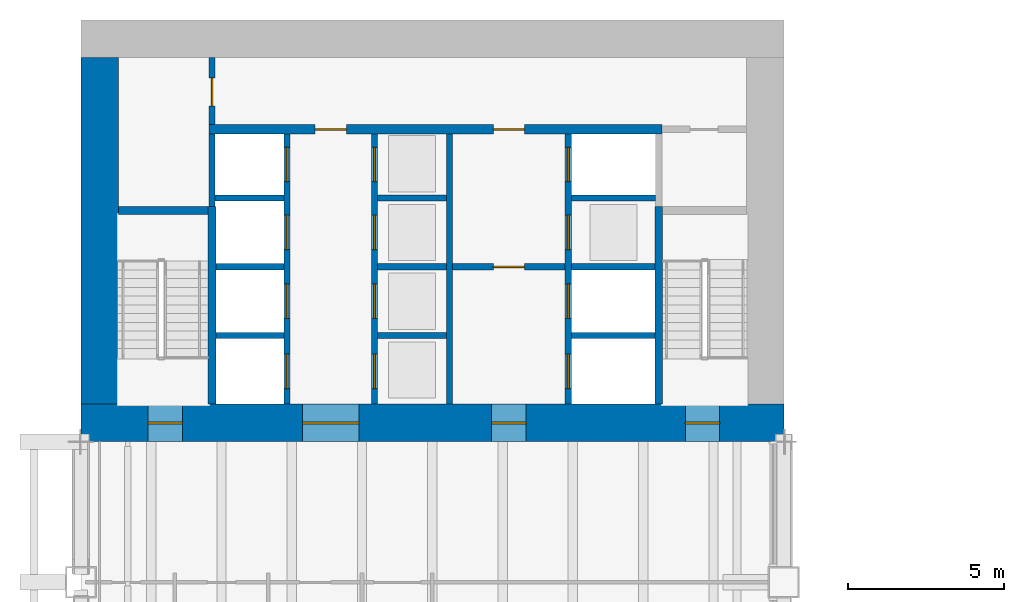
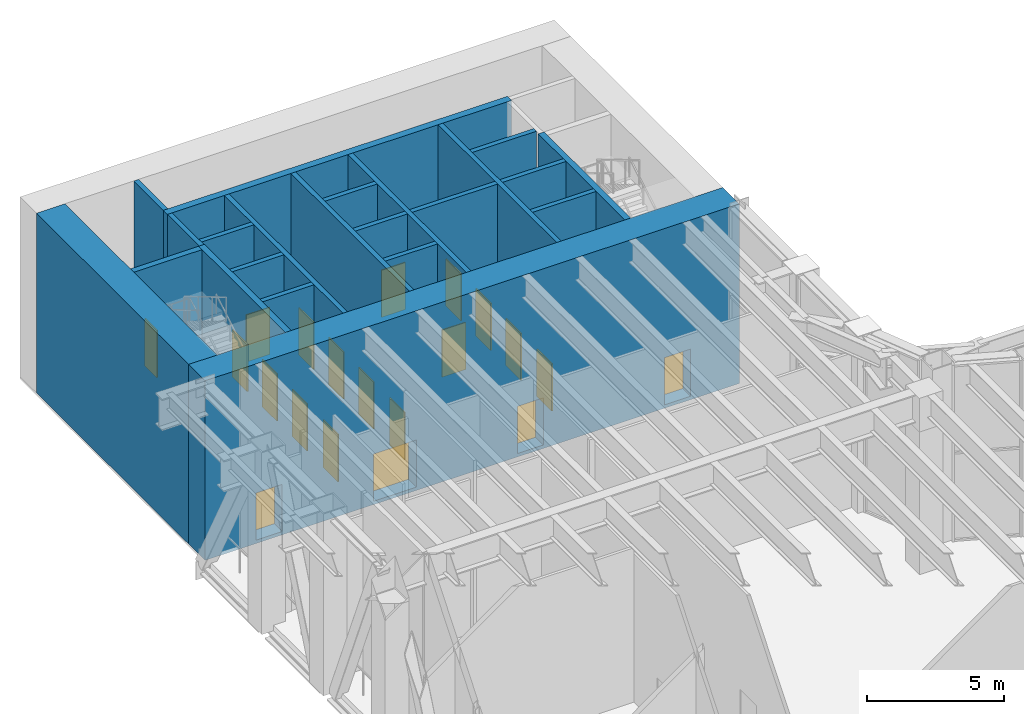
# One storey, part 12 of 21: 22 walls, 20 doors, 20 openings.
"""IFC4 building model written with IfcOpenShell, lengths in metres."""

from ifc_helpers import new_model, si_unit, direction, frame, frame_2d, origin, place, context, subcontext, project, spatial, rectangle, extrude, material, layer, layer_set, type_object, element, fill, save


model = new_model("IFC4")

# Units and contexts
model_context = context("Model", 3, precision=1e-05, world=origin(), true_north=direction((0.0, 1.0)))
body_context = subcontext(model_context, "Body", "Model", "MODEL_VIEW")
ifc_project = project(units=[si_unit("LENGTHUNIT", "METRE"), si_unit("AREAUNIT", "SQUARE_METRE"), si_unit("VOLUMEUNIT", "CUBIC_METRE"), si_unit("PLANEANGLEUNIT", "RADIAN"), si_unit("MASSUNIT", "GRAM", prefix="KILO")], contexts=[model_context])

# Site, building, storey
site_placement = place(None, origin())
site = spatial("IfcSite", under=ifc_project, at=site_placement, CompositionType="ELEMENT")
building_placement = place(site_placement, origin())
building = spatial("IfcBuilding", under=site, at=building_placement, Name="Sennacour Bend Tower", CompositionType="ELEMENT")
storey_placement = place(building_placement, frame((0.0, 0.0, 131.0)))
storey = spatial("IfcBuildingStorey", under=building, at=storey_placement, Name="L30", CompositionType="ELEMENT", Elevation=131.0)

# Wall, openings, doors
ifc_material_1 = material(Name="Concrete C80/95", Category="concrete")
ifc_layer_1 = layer(ifc_material_1, 1.199951171875, Name="Concrete C80/95", Category="concrete")
ifc_layer_set_1 = layer_set([ifc_layer_1], Name="Concrete C80/95")
wall_type_1 = type_object("IfcWallType", Name="Core wall 1200 C80/95", PredefinedType="SHEAR", material=ifc_layer_set_1)
wall_1_placement = place(storey_placement, frame((0.0, 36.60009765625, -0.14990234375), z_axis=(0.0, 0.0, 1.0), x_axis=(1.0, 0.0, 0.0)))
wall_1 = element("IfcWall", 1, at=wall_1_placement, inside=storey, type_object=wall_type_1, Name="Core B wall L30 S", PredefinedType="SHEAR", context=body_context, shape_type="SweptSolid", body=[
    extrude(rectangle(XDim=22.5, YDim=1.199951171875, at=frame_2d((11.25, 0.0))), origin(), (0.0, 0.0, 1.0), 8.0),
])
opening_1_placement = place(wall_1_placement, frame((7.10009765625, 0.0, 0.14990234375)))
opening_1 = element("IfcOpeningElement", 2, at=opening_1_placement, cuts=wall_1, Name="Opening CD", PredefinedType="OPENING", context=body_context, shape_type="SweptSolid", body=[
    extrude(rectangle(XDim=1.800048828125, YDim=2.10009765625, at=frame_2d((0.89990234375, 1.050048828125))), frame((0.0, 0.60986328125, 0.0), z_axis=(0.0, -1.0, 0.0), x_axis=(1.0, 0.0, 0.0)), (0.0, 0.0, 1.0), 1.219970703125),
])
opening_2_placement = place(wall_1_placement, frame((13.14990234375, 0.0, 0.14990234375)))
opening_2 = element("IfcOpeningElement", 3, at=opening_2_placement, cuts=wall_1, Name="Opening FD", PredefinedType="OPENING", context=body_context, shape_type="SweptSolid", body=[
    extrude(rectangle(XDim=1.10009765625, YDim=2.10009765625, at=frame_2d((0.550048828125, 1.050048828125))), frame((0.0, 0.60986328125, 0.0), z_axis=(0.0, -1.0, 0.0), x_axis=(1.0, 0.0, 0.0)), (0.0, 0.0, 1.0), 1.219970703125),
])
opening_3_placement = place(wall_1_placement, frame((2.14990234375, 0.0, 0.14990234375)))
opening_3 = element("IfcOpeningElement", 4, at=opening_3_placement, cuts=wall_1, Name="Opening SD", PredefinedType="OPENING", context=body_context, shape_type="SweptSolid", body=[
    extrude(rectangle(XDim=1.10009765625, YDim=2.10009765625, at=frame_2d((0.550048828125, 1.050048828125))), frame((0.0, 0.60986328125, 0.0), z_axis=(0.0, -1.0, 0.0), x_axis=(1.0, 0.0, 0.0)), (0.0, 0.0, 1.0), 1.219970703125),
])
opening_4_placement = place(wall_1_placement, frame((19.35009765625, 0.0, 0.14990234375)))
opening_4 = element("IfcOpeningElement", 5, at=opening_4_placement, cuts=wall_1, Name="Opening SD", PredefinedType="OPENING", context=body_context, shape_type="SweptSolid", body=[
    extrude(rectangle(XDim=1.10009765625, YDim=2.10009765625, at=frame_2d((0.550048828125, 1.050048828125))), frame((0.0, 0.60986328125, 0.0), z_axis=(0.0, -1.0, 0.0), x_axis=(1.0, 0.0, 0.0)), (0.0, 0.0, 1.0), 1.219970703125),
])
ifc_material_2 = material(Name="Painted steel", Category="steel")
door_type_1 = type_object("IfcDoorType", Name="DR-FFL-1100", OperationType="NOTDEFINED", PredefinedType="DOOR", material=ifc_material_2)
door_1_placement = place(opening_2_placement, origin())
door_1 = element("IfcDoor", 6, at=door_1_placement, inside=storey, type_object=door_type_1, Name="Door", OperationType="SINGLE_SWING_RIGHT", OverallHeight=2.10009765625, OverallWidth=1.10009765625, PredefinedType="DOOR", context=body_context, shape_type="SweptSolid", body=[
    extrude(rectangle(XDim=1.10009765625, YDim=2.10009765625, at=frame_2d((0.550048828125, 1.050048828125))), frame((0.0, 0.02490234375, 0.0), z_axis=(0.0, -1.0, 0.0), x_axis=(1.0, 0.0, 0.0)), (0.0, 0.0, 1.0), 0.050048828125),
])
fill(opening_2, door_1)
door_type_2 = type_object("IfcDoorType", Name="DR-LOBBY-1800", OperationType="NOTDEFINED", PredefinedType="DOOR", material=ifc_material_2)
door_2_placement = place(opening_1_placement, origin())
door_2 = element("IfcDoor", 7, at=door_2_placement, inside=storey, type_object=door_type_2, Name="Door", OperationType="DOUBLE_DOOR_SINGLE_SWING", OverallHeight=2.10009765625, OverallWidth=1.800048828125, PredefinedType="DOOR", context=body_context, shape_type="SweptSolid", body=[
    extrude(rectangle(XDim=1.800048828125, YDim=2.10009765625, at=frame_2d((0.89990234375, 1.050048828125))), frame((0.0, 0.02490234375, 0.0), z_axis=(0.0, -1.0, 0.0), x_axis=(1.0, 0.0, 0.0)), (0.0, 0.0, 1.0), 0.050048828125),
])
fill(opening_1, door_2)
door_type_3 = type_object("IfcDoorType", Name="DR-STAIR-1100", OperationType="NOTDEFINED", PredefinedType="DOOR", material=ifc_material_2)
door_3_placement = place(opening_3_placement, origin())
door_3 = element("IfcDoor", 8, at=door_3_placement, inside=storey, type_object=door_type_3, Name="Door", OperationType="SINGLE_SWING_LEFT", OverallHeight=2.10009765625, OverallWidth=1.10009765625, PredefinedType="DOOR", context=body_context, shape_type="SweptSolid", body=[
    extrude(rectangle(XDim=1.10009765625, YDim=2.10009765625, at=frame_2d((0.550048828125, 1.050048828125))), frame((0.0, 0.02490234375, 0.0), z_axis=(0.0, -1.0, 0.0), x_axis=(1.0, 0.0, 0.0)), (0.0, 0.0, 1.0), 0.050048828125),
])
fill(opening_3, door_3)
door_4_placement = place(opening_4_placement, origin())
door_4 = element("IfcDoor", 9, at=door_4_placement, inside=storey, type_object=door_type_3, Name="Door", OperationType="SINGLE_SWING_RIGHT", OverallHeight=2.10009765625, OverallWidth=1.10009765625, PredefinedType="DOOR", context=body_context, shape_type="SweptSolid", body=[
    extrude(rectangle(XDim=1.10009765625, YDim=2.10009765625, at=frame_2d((0.550048828125, 1.050048828125))), frame((0.0, 0.02490234375, 0.0), z_axis=(0.0, -1.0, 0.0), x_axis=(1.0, 0.0, 0.0)), (0.0, 0.0, 1.0), 0.050048828125),
])
fill(opening_4, door_4)

# Wall
wall_2_placement = place(storey_placement, frame((0.60009765625, 37.199951171875, -0.14990234375), z_axis=(0.0, 0.0, 1.0), x_axis=(0.0, 1.0, 0.0)))
element("IfcWall", 10, at=wall_2_placement, inside=storey, type_object=wall_type_1, Name="Core B wall L30 W", PredefinedType="SHEAR", context=body_context, shape_type="SweptSolid", body=[
    extrude(rectangle(XDim=11.10009765625, YDim=1.199951171875, at=frame_2d((5.550048828125, 0.0))), origin(), (0.0, 0.0, 1.0), 8.0),
])

# Wall, opening, door
ifc_material_3 = material(Name="Fire-rated plasterboard partition on steel studs", Category="steel")
ifc_layer_2 = layer(ifc_material_3, 0.199951171875, Name="Fire-rated plasterboard partition on steel studs", Category="steel")
ifc_layer_set_2 = layer_set([ifc_layer_2], Name="Fire-rated plasterboard partition on steel studs")
wall_type_2 = type_object("IfcWallType", Name="Rated partition 200", PredefinedType="PARTITIONING", material=ifc_layer_set_2)
wall_3_placement = place(storey_placement, frame((4.199951171875, 46.14990234375, 0.0), z_axis=(0.0, 0.0, 1.0), x_axis=(0.0, 1.0, 0.0)))
wall_3 = element("IfcWall", 11, at=wall_3_placement, inside=storey, type_object=wall_type_2, Name="P-L30-W006", PredefinedType="PARTITIONING", context=body_context, shape_type="SweptSolid", body=[
    extrude(rectangle(XDim=2.150146484375, YDim=0.199951171875, at=frame_2d((1.0751953125, 0.0))), origin(), (0.0, 0.0, 1.0), 7.85009765625),
])
opening_5_placement = place(wall_3_placement, frame((0.60009765625, 0.0, 0.0)))
opening_5 = element("IfcOpeningElement", 12, at=opening_5_placement, cuts=wall_3, Name="Opening SV", PredefinedType="OPENING", context=body_context, shape_type="SweptSolid", body=[
    extrude(rectangle(XDim=0.89990234375, YDim=2.10009765625, at=frame_2d((0.449951171875, 1.050048828125))), frame((0.0, 0.10986328125, 0.0), z_axis=(0.0, -1.0, 0.0), x_axis=(1.0, 0.0, 0.0)), (0.0, 0.0, 1.0), 0.219970703125),
])
door_type_4 = type_object("IfcDoorType", Name="DR-SERVICE-900", OperationType="NOTDEFINED", PredefinedType="DOOR", material=ifc_material_2)
door_5_placement = place(opening_5_placement, origin())
door_5 = element("IfcDoor", 13, at=door_5_placement, inside=storey, type_object=door_type_4, Name="Door", OperationType="SINGLE_SWING_LEFT", OverallHeight=2.10009765625, OverallWidth=0.89990234375, PredefinedType="DOOR", context=body_context, shape_type="SweptSolid", body=[
    extrude(rectangle(XDim=0.89990234375, YDim=2.10009765625, at=frame_2d((0.449951171875, 1.050048828125))), frame((0.0, 0.02490234375, 0.0), z_axis=(0.0, -1.0, 0.0), x_axis=(1.0, 0.0, 0.0)), (0.0, 0.0, 1.0), 0.050048828125),
])
fill(opening_5, door_5)

ifc_layer_3 = layer(ifc_material_3, 0.199951171875, Name="Fire-rated plasterboard partition on steel studs", Category="steel")
ifc_layer_set_3 = layer_set([ifc_layer_3], Name="Fire-rated plasterboard partition on steel studs")
wall_type_3 = type_object("IfcWallType", Name="Rated partition 200 EI 90", PredefinedType="PARTITIONING", material=ifc_layer_set_3)
wall_4_placement = place(storey_placement, frame((11.89990234375, 41.60009765625, 0.0), z_axis=(0.0, 0.0, 1.0), x_axis=(1.0, 0.0, 0.0)))
wall_4 = element("IfcWall", 14, at=wall_4_placement, inside=storey, type_object=wall_type_3, Name="P-L30-W070", PredefinedType="PARTITIONING", context=body_context, shape_type="SweptSolid", body=[
    extrude(rectangle(XDim=3.60009765625, YDim=0.199951171875, at=frame_2d((1.800048828125, 0.0))), origin(), (0.0, 0.0, 1.0), 7.85009765625),
])
opening_6_placement = place(wall_4_placement, frame((1.300048828125, 0.0, 0.0)))
opening_6 = element("IfcOpeningElement", 15, at=opening_6_placement, cuts=wall_4, Name="Opening FD2", PredefinedType="OPENING", context=body_context, shape_type="SweptSolid", body=[
    extrude(rectangle(XDim=1.0, YDim=2.10009765625, at=frame_2d((0.5, 1.050048828125))), frame((0.0, 0.10986328125, 0.0), z_axis=(0.0, -1.0, 0.0), x_axis=(1.0, 0.0, 0.0)), (0.0, 0.0, 1.0), 0.219970703125),
])
door_type_5 = type_object("IfcDoorType", Name="DR-FFL-1000", OperationType="NOTDEFINED", PredefinedType="DOOR", material=ifc_material_2)
door_6_placement = place(opening_6_placement, origin())
door_6 = element("IfcDoor", 16, at=door_6_placement, inside=storey, type_object=door_type_5, Name="Door", OperationType="SINGLE_SWING_LEFT", OverallHeight=2.10009765625, OverallWidth=1.0, PredefinedType="DOOR", context=body_context, shape_type="SweptSolid", body=[
    extrude(rectangle(XDim=1.0, YDim=2.10009765625, at=frame_2d((0.5, 1.050048828125))), frame((0.0, 0.02490234375, 0.0), z_axis=(0.0, -1.0, 0.0), x_axis=(1.0, 0.0, 0.0)), (0.0, 0.0, 1.0), 0.050048828125),
])
fill(opening_6, door_6)

# Wall
ifc_material_4 = material(Name="Concrete C50/60", Category="concrete")
ifc_layer_4 = layer(ifc_material_4, 0.199951171875, Name="Concrete C50/60", Category="concrete")
ifc_layer_set_4 = layer_set([ifc_layer_4], Name="Concrete C50/60")
wall_type_4 = type_object("IfcWallType", Name="Shaft wall 200", PredefinedType="SOLIDWALL", material=ifc_layer_set_4)
wall_5_placement = place(storey_placement, frame((4.199951171875, 43.52490234375, 0.0), z_axis=(0.0, 0.0, 1.0), x_axis=(0.0, 1.0, 0.0)))
element("IfcWall", 17, at=wall_5_placement, inside=storey, type_object=wall_type_4, Name="P-L30-W005", PredefinedType="SOLIDWALL", context=body_context, shape_type="SweptSolid", body=[
    extrude(rectangle(XDim=2.3251953125, YDim=0.199951171875, at=frame_2d((1.16259765625, 0.0))), origin(), (0.0, 0.0, 1.0), 7.85009765625),
])

# Wall, openings, doors
wall_6_placement = place(storey_placement, frame((6.60009765625, 37.199951171875, 0.0), z_axis=(0.0, 0.0, 1.0), x_axis=(0.0, 1.0, 0.0)))
wall_6 = element("IfcWall", 18, at=wall_6_placement, inside=storey, type_object=wall_type_4, Name="P-L30-W008", PredefinedType="SOLIDWALL", context=body_context, shape_type="SweptSolid", body=[
    extrude(rectangle(XDim=8.650146484375, YDim=0.199951171875, at=frame_2d((4.3251953125, 0.0))), origin(), (0.0, 0.0, 1.0), 7.85009765625),
])
opening_7_placement = place(wall_6_placement, frame((0.5, 0.0, 0.011962890625)))
opening_7 = element("IfcOpeningElement", 19, at=opening_7_placement, cuts=wall_6, Name="Opening LD", PredefinedType="OPENING", context=body_context, shape_type="SweptSolid", body=[
    extrude(rectangle(XDim=1.10009765625, YDim=2.10009765625, at=frame_2d((0.550048828125, 1.050048828125))), frame((0.0, 0.10986328125, 0.0), z_axis=(0.0, -1.0, 0.0), x_axis=(1.0, 0.0, 0.0)), (0.0, 0.0, 1.0), 0.219970703125),
])
opening_8_placement = place(wall_6_placement, frame((2.75, 0.0, 0.011962890625)))
opening_8 = element("IfcOpeningElement", 20, at=opening_8_placement, cuts=wall_6, Name="Opening LD", PredefinedType="OPENING", context=body_context, shape_type="SweptSolid", body=[
    extrude(rectangle(XDim=1.10009765625, YDim=2.10009765625, at=frame_2d((0.550048828125, 1.050048828125))), frame((0.0, 0.10986328125, 0.0), z_axis=(0.0, -1.0, 0.0), x_axis=(1.0, 0.0, 0.0)), (0.0, 0.0, 1.0), 0.219970703125),
])
opening_9_placement = place(wall_6_placement, frame((4.949951171875, 0.0, 0.011962890625)))
opening_9 = element("IfcOpeningElement", 21, at=opening_9_placement, cuts=wall_6, Name="Opening LD", PredefinedType="OPENING", context=body_context, shape_type="SweptSolid", body=[
    extrude(rectangle(XDim=1.10009765625, YDim=2.10009765625, at=frame_2d((0.550048828125, 1.050048828125))), frame((0.0, 0.10986328125, 0.0), z_axis=(0.0, -1.0, 0.0), x_axis=(1.0, 0.0, 0.0)), (0.0, 0.0, 1.0), 0.219970703125),
])
opening_10_placement = place(wall_6_placement, frame((7.125, 0.0, 0.011962890625)))
opening_10 = element("IfcOpeningElement", 22, at=opening_10_placement, cuts=wall_6, Name="Opening LD", PredefinedType="OPENING", context=body_context, shape_type="SweptSolid", body=[
    extrude(rectangle(XDim=1.10009765625, YDim=2.10009765625, at=frame_2d((0.550048828125, 1.050048828125))), frame((0.0, 0.10986328125, 0.0), z_axis=(0.0, -1.0, 0.0), x_axis=(1.0, 0.0, 0.0)), (0.0, 0.0, 1.0), 0.219970703125),
])
ifc_material_5 = material(Name="Stainless steel", Category="steel")
door_type_6 = type_object("IfcDoorType", Name="DR-LANDING-1100", OperationType="NOTDEFINED", PredefinedType="DOOR", material=ifc_material_5)
door_7_placement = place(opening_7_placement, origin())
door_7 = element("IfcDoor", 23, at=door_7_placement, inside=storey, type_object=door_type_6, Name="Lift landing door LB1", OperationType="SLIDING_TO_RIGHT", OverallHeight=2.10009765625, OverallWidth=1.10009765625, PredefinedType="DOOR", context=body_context, shape_type="SweptSolid", body=[
    extrude(rectangle(XDim=1.10009765625, YDim=2.10009765625, at=frame_2d((0.550048828125, 1.050048828125))), frame((0.0, 0.02490234375, 0.0), z_axis=(0.0, -1.0, 0.0), x_axis=(1.0, 0.0, 0.0)), (0.0, 0.0, 1.0), 0.050048828125),
])
fill(opening_7, door_7)
door_8_placement = place(opening_8_placement, origin())
door_8 = element("IfcDoor", 24, at=door_8_placement, inside=storey, type_object=door_type_6, Name="Lift landing door LB2", OperationType="SLIDING_TO_LEFT", OverallHeight=2.10009765625, OverallWidth=1.10009765625, PredefinedType="DOOR", context=body_context, shape_type="SweptSolid", body=[
    extrude(rectangle(XDim=1.10009765625, YDim=2.10009765625, at=frame_2d((0.550048828125, 1.050048828125))), frame((0.0, 0.02490234375, 0.0), z_axis=(0.0, -1.0, 0.0), x_axis=(1.0, 0.0, 0.0)), (0.0, 0.0, 1.0), 0.050048828125),
])
fill(opening_8, door_8)
door_9_placement = place(opening_9_placement, origin())
door_9 = element("IfcDoor", 25, at=door_9_placement, inside=storey, type_object=door_type_6, Name="Lift landing door LB3", OperationType="SLIDING_TO_RIGHT", OverallHeight=2.10009765625, OverallWidth=1.10009765625, PredefinedType="DOOR", context=body_context, shape_type="SweptSolid", body=[
    extrude(rectangle(XDim=1.10009765625, YDim=2.10009765625, at=frame_2d((0.550048828125, 1.050048828125))), frame((0.0, 0.02490234375, 0.0), z_axis=(0.0, -1.0, 0.0), x_axis=(1.0, 0.0, 0.0)), (0.0, 0.0, 1.0), 0.050048828125),
])
fill(opening_9, door_9)
door_10_placement = place(opening_10_placement, origin())
door_10 = element("IfcDoor", 26, at=door_10_placement, inside=storey, type_object=door_type_6, Name="Lift landing door LB4", OperationType="SLIDING_TO_LEFT", OverallHeight=2.10009765625, OverallWidth=1.10009765625, PredefinedType="DOOR", context=body_context, shape_type="SweptSolid", body=[
    extrude(rectangle(XDim=1.10009765625, YDim=2.10009765625, at=frame_2d((0.550048828125, 1.050048828125))), frame((0.0, 0.02490234375, 0.0), z_axis=(0.0, -1.0, 0.0), x_axis=(1.0, 0.0, 0.0)), (0.0, 0.0, 1.0), 0.050048828125),
])
fill(opening_10, door_10)

wall_7_placement = place(storey_placement, frame((9.39990234375, 37.199951171875, 0.0), z_axis=(0.0, 0.0, 1.0), x_axis=(0.0, 1.0, 0.0)))
wall_7 = element("IfcWall", 27, at=wall_7_placement, inside=storey, type_object=wall_type_4, Name="P-L30-W013", PredefinedType="SOLIDWALL", context=body_context, shape_type="SweptSolid", body=[
    extrude(rectangle(XDim=8.650146484375, YDim=0.199951171875, at=frame_2d((4.3251953125, 0.0))), origin(), (0.0, 0.0, 1.0), 7.85009765625),
])
opening_11_placement = place(wall_7_placement, frame((0.5, 0.0, 0.011962890625)))
opening_11 = element("IfcOpeningElement", 28, at=opening_11_placement, cuts=wall_7, Name="Opening LD", PredefinedType="OPENING", context=body_context, shape_type="SweptSolid", body=[
    extrude(rectangle(XDim=1.10009765625, YDim=2.10009765625, at=frame_2d((0.550048828125, 1.050048828125))), frame((0.0, 0.10986328125, 0.0), z_axis=(0.0, -1.0, 0.0), x_axis=(1.0, 0.0, 0.0)), (0.0, 0.0, 1.0), 0.219970703125),
])
opening_12_placement = place(wall_7_placement, frame((2.75, 0.0, 0.011962890625)))
opening_12 = element("IfcOpeningElement", 29, at=opening_12_placement, cuts=wall_7, Name="Opening LD", PredefinedType="OPENING", context=body_context, shape_type="SweptSolid", body=[
    extrude(rectangle(XDim=1.10009765625, YDim=2.10009765625, at=frame_2d((0.550048828125, 1.050048828125))), frame((0.0, 0.10986328125, 0.0), z_axis=(0.0, -1.0, 0.0), x_axis=(1.0, 0.0, 0.0)), (0.0, 0.0, 1.0), 0.219970703125),
])
opening_13_placement = place(wall_7_placement, frame((4.949951171875, 0.0, 0.011962890625)))
opening_13 = element("IfcOpeningElement", 30, at=opening_13_placement, cuts=wall_7, Name="Opening LD", PredefinedType="OPENING", context=body_context, shape_type="SweptSolid", body=[
    extrude(rectangle(XDim=1.10009765625, YDim=2.10009765625, at=frame_2d((0.550048828125, 1.050048828125))), frame((0.0, 0.10986328125, 0.0), z_axis=(0.0, -1.0, 0.0), x_axis=(1.0, 0.0, 0.0)), (0.0, 0.0, 1.0), 0.219970703125),
])
opening_14_placement = place(wall_7_placement, frame((7.125, 0.0, 0.011962890625)))
opening_14 = element("IfcOpeningElement", 31, at=opening_14_placement, cuts=wall_7, Name="Opening LD", PredefinedType="OPENING", context=body_context, shape_type="SweptSolid", body=[
    extrude(rectangle(XDim=1.10009765625, YDim=2.10009765625, at=frame_2d((0.550048828125, 1.050048828125))), frame((0.0, 0.10986328125, 0.0), z_axis=(0.0, -1.0, 0.0), x_axis=(1.0, 0.0, 0.0)), (0.0, 0.0, 1.0), 0.219970703125),
])
door_11_placement = place(opening_11_placement, origin())
door_11 = element("IfcDoor", 32, at=door_11_placement, inside=storey, type_object=door_type_6, Name="Lift landing door MB1", OperationType="SLIDING_TO_RIGHT", OverallHeight=2.10009765625, OverallWidth=1.10009765625, PredefinedType="DOOR", context=body_context, shape_type="SweptSolid", body=[
    extrude(rectangle(XDim=1.10009765625, YDim=2.10009765625, at=frame_2d((0.550048828125, 1.050048828125))), frame((0.0, 0.02490234375, 0.0), z_axis=(0.0, -1.0, 0.0), x_axis=(1.0, 0.0, 0.0)), (0.0, 0.0, 1.0), 0.050048828125),
])
fill(opening_11, door_11)
door_12_placement = place(opening_12_placement, origin())
door_12 = element("IfcDoor", 33, at=door_12_placement, inside=storey, type_object=door_type_6, Name="Lift landing door MB2", OperationType="SLIDING_TO_LEFT", OverallHeight=2.10009765625, OverallWidth=1.10009765625, PredefinedType="DOOR", context=body_context, shape_type="SweptSolid", body=[
    extrude(rectangle(XDim=1.10009765625, YDim=2.10009765625, at=frame_2d((0.550048828125, 1.050048828125))), frame((0.0, 0.02490234375, 0.0), z_axis=(0.0, -1.0, 0.0), x_axis=(1.0, 0.0, 0.0)), (0.0, 0.0, 1.0), 0.050048828125),
])
fill(opening_12, door_12)
door_13_placement = place(opening_13_placement, origin())
door_13 = element("IfcDoor", 34, at=door_13_placement, inside=storey, type_object=door_type_6, Name="Lift landing door MB3", OperationType="SLIDING_TO_RIGHT", OverallHeight=2.10009765625, OverallWidth=1.10009765625, PredefinedType="DOOR", context=body_context, shape_type="SweptSolid", body=[
    extrude(rectangle(XDim=1.10009765625, YDim=2.10009765625, at=frame_2d((0.550048828125, 1.050048828125))), frame((0.0, 0.02490234375, 0.0), z_axis=(0.0, -1.0, 0.0), x_axis=(1.0, 0.0, 0.0)), (0.0, 0.0, 1.0), 0.050048828125),
])
fill(opening_13, door_13)
door_14_placement = place(opening_14_placement, origin())
door_14 = element("IfcDoor", 35, at=door_14_placement, inside=storey, type_object=door_type_6, Name="Lift landing door MB4", OperationType="SLIDING_TO_LEFT", OverallHeight=2.10009765625, OverallWidth=1.10009765625, PredefinedType="DOOR", context=body_context, shape_type="SweptSolid", body=[
    extrude(rectangle(XDim=1.10009765625, YDim=2.10009765625, at=frame_2d((0.550048828125, 1.050048828125))), frame((0.0, 0.02490234375, 0.0), z_axis=(0.0, -1.0, 0.0), x_axis=(1.0, 0.0, 0.0)), (0.0, 0.0, 1.0), 0.050048828125),
])
fill(opening_14, door_14)

# Wall
wall_8_placement = place(storey_placement, frame((11.800048828125, 37.199951171875, 0.0), z_axis=(0.0, 0.0, 1.0), x_axis=(0.0, 1.0, 0.0)))
element("IfcWall", 36, at=wall_8_placement, inside=storey, type_object=wall_type_4, Name="P-L30-W015", PredefinedType="SOLIDWALL", context=body_context, shape_type="SweptSolid", body=[
    extrude(rectangle(XDim=8.650146484375, YDim=0.199951171875, at=frame_2d((4.3251953125, 0.0))), origin(), (0.0, 0.0, 1.0), 7.85009765625),
])

# Wall, openings, doors
wall_9_placement = place(storey_placement, frame((15.60009765625, 37.199951171875, 0.0), z_axis=(0.0, 0.0, 1.0), x_axis=(0.0, 1.0, 0.0)))
wall_9 = element("IfcWall", 37, at=wall_9_placement, inside=storey, type_object=wall_type_4, Name="P-L30-W017", PredefinedType="SOLIDWALL", context=body_context, shape_type="SweptSolid", body=[
    extrude(rectangle(XDim=8.650146484375, YDim=0.199951171875, at=frame_2d((4.3251953125, 0.0))), origin(), (0.0, 0.0, 1.0), 7.85009765625),
])
opening_15_placement = place(wall_9_placement, frame((0.5, 0.0, 0.011962890625)))
opening_15 = element("IfcOpeningElement", 38, at=opening_15_placement, cuts=wall_9, Name="Opening FLD", PredefinedType="OPENING", context=body_context, shape_type="SweptSolid", body=[
    extrude(rectangle(XDim=1.10009765625, YDim=2.10009765625, at=frame_2d((0.550048828125, 1.050048828125))), frame((0.0, 0.10986328125, 0.0), z_axis=(0.0, -1.0, 0.0), x_axis=(1.0, 0.0, 0.0)), (0.0, 0.0, 1.0), 0.219970703125),
])
opening_16_placement = place(wall_9_placement, frame((2.75, 0.0, 0.011962890625)))
opening_16 = element("IfcOpeningElement", 39, at=opening_16_placement, cuts=wall_9, Name="Opening FLD", PredefinedType="OPENING", context=body_context, shape_type="SweptSolid", body=[
    extrude(rectangle(XDim=1.10009765625, YDim=2.10009765625, at=frame_2d((0.550048828125, 1.050048828125))), frame((0.0, 0.10986328125, 0.0), z_axis=(0.0, -1.0, 0.0), x_axis=(1.0, 0.0, 0.0)), (0.0, 0.0, 1.0), 0.219970703125),
])
opening_17_placement = place(wall_9_placement, frame((4.949951171875, 0.0, 0.011962890625)))
opening_17 = element("IfcOpeningElement", 40, at=opening_17_placement, cuts=wall_9, Name="Opening LD", PredefinedType="OPENING", context=body_context, shape_type="SweptSolid", body=[
    extrude(rectangle(XDim=1.10009765625, YDim=2.10009765625, at=frame_2d((0.550048828125, 1.050048828125))), frame((0.0, 0.10986328125, 0.0), z_axis=(0.0, -1.0, 0.0), x_axis=(1.0, 0.0, 0.0)), (0.0, 0.0, 1.0), 0.219970703125),
])
opening_18_placement = place(wall_9_placement, frame((7.125, 0.0, 0.011962890625)))
opening_18 = element("IfcOpeningElement", 41, at=opening_18_placement, cuts=wall_9, Name="Opening LD", PredefinedType="OPENING", context=body_context, shape_type="SweptSolid", body=[
    extrude(rectangle(XDim=1.10009765625, YDim=2.10009765625, at=frame_2d((0.550048828125, 1.050048828125))), frame((0.0, 0.10986328125, 0.0), z_axis=(0.0, -1.0, 0.0), x_axis=(1.0, 0.0, 0.0)), (0.0, 0.0, 1.0), 0.219970703125),
])
door_type_7 = type_object("IfcDoorType", Name="DR-FF-LANDING-1100", OperationType="NOTDEFINED", PredefinedType="DOOR", material=ifc_material_5)
door_15_placement = place(opening_15_placement, origin())
door_15 = element("IfcDoor", 42, at=door_15_placement, inside=storey, type_object=door_type_7, Name="Fire service lift landing door FB1", OperationType="SLIDING_TO_RIGHT", OverallHeight=2.10009765625, OverallWidth=1.10009765625, PredefinedType="DOOR", context=body_context, shape_type="SweptSolid", body=[
    extrude(rectangle(XDim=1.10009765625, YDim=2.10009765625, at=frame_2d((0.550048828125, 1.050048828125))), frame((0.0, 0.02490234375, 0.0), z_axis=(0.0, -1.0, 0.0), x_axis=(1.0, 0.0, 0.0)), (0.0, 0.0, 1.0), 0.050048828125),
])
fill(opening_15, door_15)
door_16_placement = place(opening_16_placement, origin())
door_16 = element("IfcDoor", 43, at=door_16_placement, inside=storey, type_object=door_type_7, Name="Fire service lift landing door FB2", OperationType="SLIDING_TO_LEFT", OverallHeight=2.10009765625, OverallWidth=1.10009765625, PredefinedType="DOOR", context=body_context, shape_type="SweptSolid", body=[
    extrude(rectangle(XDim=1.10009765625, YDim=2.10009765625, at=frame_2d((0.550048828125, 1.050048828125))), frame((0.0, 0.02490234375, 0.0), z_axis=(0.0, -1.0, 0.0), x_axis=(1.0, 0.0, 0.0)), (0.0, 0.0, 1.0), 0.050048828125),
])
fill(opening_16, door_16)
door_17_placement = place(opening_17_placement, origin())
door_17 = element("IfcDoor", 44, at=door_17_placement, inside=storey, type_object=door_type_6, Name="Lift landing door MB5", OperationType="SLIDING_TO_RIGHT", OverallHeight=2.10009765625, OverallWidth=1.10009765625, PredefinedType="DOOR", context=body_context, shape_type="SweptSolid", body=[
    extrude(rectangle(XDim=1.10009765625, YDim=2.10009765625, at=frame_2d((0.550048828125, 1.050048828125))), frame((0.0, 0.02490234375, 0.0), z_axis=(0.0, -1.0, 0.0), x_axis=(1.0, 0.0, 0.0)), (0.0, 0.0, 1.0), 0.050048828125),
])
fill(opening_17, door_17)
door_18_placement = place(opening_18_placement, origin())
door_18 = element("IfcDoor", 45, at=door_18_placement, inside=storey, type_object=door_type_6, Name="Lift landing door LB5", OperationType="SLIDING_TO_LEFT", OverallHeight=2.10009765625, OverallWidth=1.10009765625, PredefinedType="DOOR", context=body_context, shape_type="SweptSolid", body=[
    extrude(rectangle(XDim=1.10009765625, YDim=2.10009765625, at=frame_2d((0.550048828125, 1.050048828125))), frame((0.0, 0.02490234375, 0.0), z_axis=(0.0, -1.0, 0.0), x_axis=(1.0, 0.0, 0.0)), (0.0, 0.0, 1.0), 0.050048828125),
])
fill(opening_18, door_18)

# Walls
wall_10_placement = place(storey_placement, frame((4.324951171875, 39.39990234375, 0.0), z_axis=(0.0, 0.0, 1.0), x_axis=(1.0, 0.0, 0.0)))
element("IfcWall", 46, at=wall_10_placement, inside=storey, type_object=wall_type_4, Name="P-L30-W065", PredefinedType="SOLIDWALL", context=body_context, shape_type="SweptSolid", body=[
    extrude(rectangle(XDim=2.175048828125, YDim=0.199951171875, at=frame_2d((1.08740234375, 0.0))), origin(), (0.0, 0.0, 1.0), 7.85009765625),
])
wall_11_placement = place(storey_placement, frame((9.5, 39.39990234375, 0.0), z_axis=(0.0, 0.0, 1.0), x_axis=(1.0, 0.0, 0.0)))
element("IfcWall", 47, at=wall_11_placement, inside=storey, type_object=wall_type_4, Name="P-L30-W066", PredefinedType="SOLIDWALL", context=body_context, shape_type="SweptSolid", body=[
    extrude(rectangle(XDim=2.199951171875, YDim=0.199951171875, at=frame_2d((1.10009765625, 0.0))), origin(), (0.0, 0.0, 1.0), 7.85009765625),
])
wall_12_placement = place(storey_placement, frame((15.699951171875, 39.39990234375, 0.0), z_axis=(0.0, 0.0, 1.0), x_axis=(1.0, 0.0, 0.0)))
element("IfcWall", 48, at=wall_12_placement, inside=storey, type_object=wall_type_4, Name="P-L30-W067", PredefinedType="SOLIDWALL", context=body_context, shape_type="SweptSolid", body=[
    extrude(rectangle(XDim=2.675048828125, YDim=0.199951171875, at=frame_2d((1.33740234375, 0.0))), origin(), (0.0, 0.0, 1.0), 7.85009765625),
])
wall_13_placement = place(storey_placement, frame((4.324951171875, 41.60009765625, 0.0), z_axis=(0.0, 0.0, 1.0), x_axis=(1.0, 0.0, 0.0)))
element("IfcWall", 49, at=wall_13_placement, inside=storey, type_object=wall_type_4, Name="P-L30-W068", PredefinedType="SOLIDWALL", context=body_context, shape_type="SweptSolid", body=[
    extrude(rectangle(XDim=2.175048828125, YDim=0.199951171875, at=frame_2d((1.08740234375, 0.0))), origin(), (0.0, 0.0, 1.0), 7.85009765625),
])
wall_14_placement = place(storey_placement, frame((9.5, 41.60009765625, 0.0), z_axis=(0.0, 0.0, 1.0), x_axis=(1.0, 0.0, 0.0)))
element("IfcWall", 50, at=wall_14_placement, inside=storey, type_object=wall_type_4, Name="P-L30-W069", PredefinedType="SOLIDWALL", context=body_context, shape_type="SweptSolid", body=[
    extrude(rectangle(XDim=2.199951171875, YDim=0.199951171875, at=frame_2d((1.10009765625, 0.0))), origin(), (0.0, 0.0, 1.0), 7.85009765625),
])
wall_15_placement = place(storey_placement, frame((15.699951171875, 41.60009765625, 0.0), z_axis=(0.0, 0.0, 1.0), x_axis=(1.0, 0.0, 0.0)))
element("IfcWall", 51, at=wall_15_placement, inside=storey, type_object=wall_type_4, Name="P-L30-W071", PredefinedType="SOLIDWALL", context=body_context, shape_type="SweptSolid", body=[
    extrude(rectangle(XDim=2.675048828125, YDim=0.199951171875, at=frame_2d((1.33740234375, 0.0))), origin(), (0.0, 0.0, 1.0), 7.85009765625),
])
for number, where, z_axis, x_axis, name in (
    (52, (4.300048828125, 43.800048828125, 0.0), (0.0, 0.0, 1.0), (1.0, 0.0, 0.0), "P-L30-W074"),
    (53, (9.5, 43.800048828125, 0.0), (0.0, 0.0, 1.0), (1.0, 0.0, 0.0), "P-L30-W075"),
):
    element("IfcWall", number, at=place(storey_placement, frame(where, z_axis=z_axis, x_axis=x_axis)), inside=storey, type_object=wall_type_4, Name=name, PredefinedType="SOLIDWALL", context=body_context, shape_type="SweptSolid", body=[
        extrude(rectangle(XDim=2.199951171875, YDim=0.199951171875, at=frame_2d((1.10009765625, 0.0))), origin(), (0.0, 0.0, 1.0), 7.85009765625),
    ])
wall_16_placement = place(storey_placement, frame((15.699951171875, 43.800048828125, 0.0), z_axis=(0.0, 0.0, 1.0), x_axis=(1.0, 0.0, 0.0)))
element("IfcWall", 54, at=wall_16_placement, inside=storey, type_object=wall_type_4, Name="P-L30-W076", PredefinedType="SOLIDWALL", context=body_context, shape_type="SweptSolid", body=[
    extrude(rectangle(XDim=2.699951171875, YDim=0.199951171875, at=frame_2d((1.35009765625, 0.0))), origin(), (0.0, 0.0, 1.0), 7.85009765625),
])

# Wall, openings, doors
ifc_material_6 = material(Name="Concrete C60/75", Category="concrete")
ifc_layer_5 = layer(ifc_material_6, 0.300048828125, Name="Concrete C60/75", Category="concrete")
ifc_layer_set_5 = layer_set([ifc_layer_5], Name="Concrete C60/75")
wall_type_5 = type_object("IfcWallType", Name="Spine wall 300", PredefinedType="SHEAR", material=ifc_layer_set_5)
wall_17_placement = place(storey_placement, frame((4.10009765625, 46.0, 0.0), z_axis=(0.0, 0.0, 1.0), x_axis=(1.0, 0.0, 0.0)))
wall_17 = element("IfcWall", 55, at=wall_17_placement, inside=storey, type_object=wall_type_5, Name="P-L30-W077", PredefinedType="SHEAR", context=body_context, shape_type="SweptSolid", body=[
    extrude(rectangle(XDim=14.5, YDim=0.300048828125, at=frame_2d((7.25, 0.0))), origin(), (0.0, 0.0, 1.0), 7.85009765625),
])
opening_19_placement = place(wall_17_placement, frame((3.39990234375, 0.0, 0.0)))
opening_19 = element("IfcOpeningElement", 56, at=opening_19_placement, cuts=wall_17, Name="Opening CD2", PredefinedType="OPENING", context=body_context, shape_type="SweptSolid", body=[
    extrude(rectangle(XDim=1.0, YDim=2.10009765625, at=frame_2d((0.5, 1.050048828125))), frame((0.0, 0.16015625, 0.0), z_axis=(0.0, -1.0, 0.0), x_axis=(1.0, 0.0, 0.0)), (0.0, 0.0, 1.0), 0.320068359375),
])
opening_20_placement = place(wall_17_placement, frame((9.099853515625, 0.0, 0.0)))
opening_20 = element("IfcOpeningElement", 57, at=opening_20_placement, cuts=wall_17, Name="Opening CD2", PredefinedType="OPENING", context=body_context, shape_type="SweptSolid", body=[
    extrude(rectangle(XDim=1.0, YDim=2.10009765625, at=frame_2d((0.5, 1.050048828125))), frame((0.0, 0.16015625, 0.0), z_axis=(0.0, -1.0, 0.0), x_axis=(1.0, 0.0, 0.0)), (0.0, 0.0, 1.0), 0.320068359375),
])
door_type_8 = type_object("IfcDoorType", Name="DR-LOBBY-1000", OperationType="NOTDEFINED", PredefinedType="DOOR", material=ifc_material_2)
door_19_placement = place(opening_19_placement, origin())
door_19 = element("IfcDoor", 58, at=door_19_placement, inside=storey, type_object=door_type_8, Name="Door", OperationType="SINGLE_SWING_LEFT", OverallHeight=2.10009765625, OverallWidth=1.0, PredefinedType="DOOR", context=body_context, shape_type="SweptSolid", body=[
    extrude(rectangle(XDim=1.0, YDim=2.10009765625, at=frame_2d((0.5, 1.050048828125))), frame((0.0, 0.02490234375, 0.0), z_axis=(0.0, -1.0, 0.0), x_axis=(1.0, 0.0, 0.0)), (0.0, 0.0, 1.0), 0.050048828125),
])
fill(opening_19, door_19)
door_20_placement = place(opening_20_placement, origin())
door_20 = element("IfcDoor", 59, at=door_20_placement, inside=storey, type_object=door_type_8, Name="Door", OperationType="SINGLE_SWING_RIGHT", OverallHeight=2.10009765625, OverallWidth=1.0, PredefinedType="DOOR", context=body_context, shape_type="SweptSolid", body=[
    extrude(rectangle(XDim=1.0, YDim=2.10009765625, at=frame_2d((0.5, 1.050048828125))), frame((0.0, 0.02490234375, 0.0), z_axis=(0.0, -1.0, 0.0), x_axis=(1.0, 0.0, 0.0)), (0.0, 0.0, 1.0), 0.050048828125),
])
fill(opening_20, door_20)

# Walls
ifc_layer_6 = layer(ifc_material_6, 0.25, Name="Concrete C60/75", Category="concrete")
ifc_layer_set_6 = layer_set([ifc_layer_6], Name="Concrete C60/75")
wall_type_6 = type_object("IfcWallType", Name="Stair wall 250", PredefinedType="SHEAR", material=ifc_layer_set_6)
for number, where, z_axis, x_axis, name in (
    (60, (4.199951171875, 37.199951171875, 0.0), (0.0, 0.0, 1.0), (0.0, 1.0, 0.0), "P-L30-W004"),
    (61, (18.5, 37.199951171875, 0.0), (0.0, 0.0, 1.0), (0.0, 1.0, 0.0), "P-L30-W018"),
):
    element("IfcWall", number, at=place(storey_placement, frame(where, z_axis=z_axis, x_axis=x_axis)), inside=storey, type_object=wall_type_6, Name=name, PredefinedType="SHEAR", context=body_context, shape_type="SweptSolid", body=[
        extrude(rectangle(XDim=6.324951171875, YDim=0.25, at=frame_2d((3.16259765625, 0.0))), origin(), (0.0, 0.0, 1.0), 7.85009765625),
    ])
wall_18_placement = place(storey_placement, frame((1.199951171875, 43.39990234375, 0.0), z_axis=(0.0, 0.0, 1.0), x_axis=(1.0, 0.0, 0.0)))
element("IfcWall", 62, at=wall_18_placement, inside=storey, type_object=wall_type_6, Name="P-L30-W072", PredefinedType="SHEAR", context=body_context, shape_type="SweptSolid", body=[
    extrude(rectangle(XDim=2.875, YDim=0.25, at=frame_2d((1.4375, 0.0))), origin(), (0.0, 0.0, 1.0), 7.85009765625),
])

save(model, "model.ifc")
